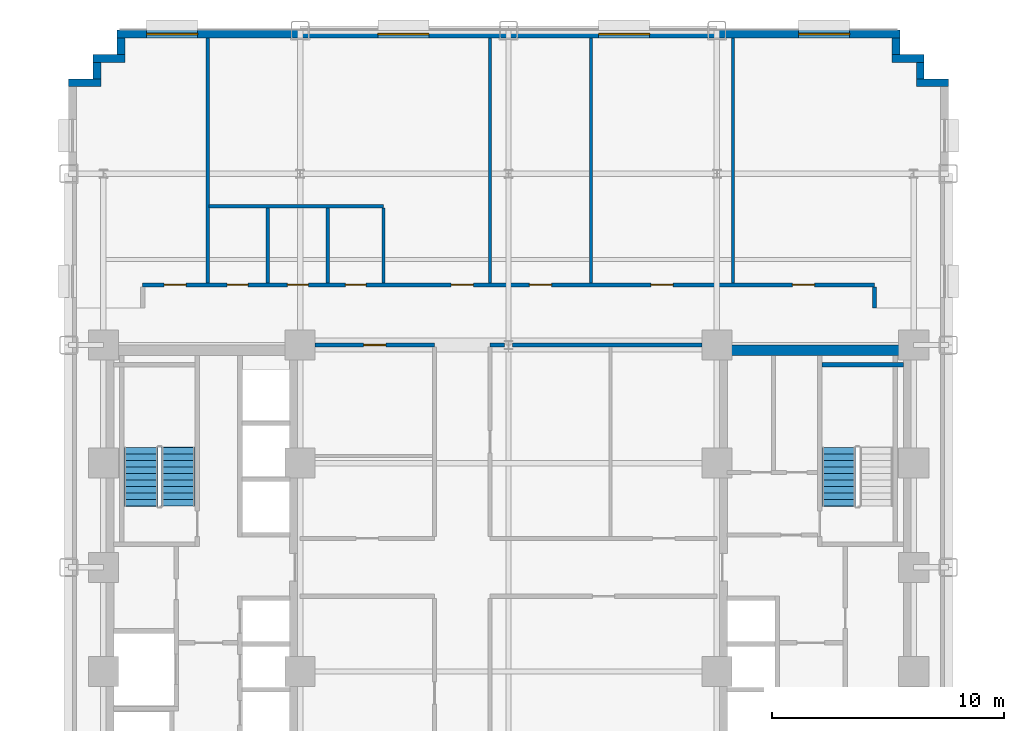
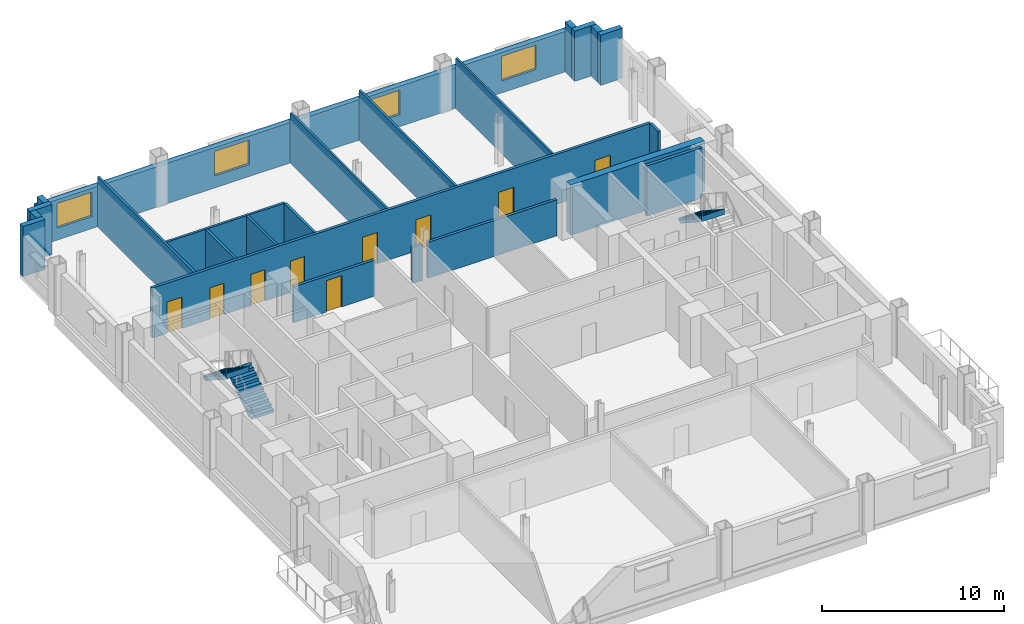
# One storey, part 7 of 12: 24 walls, 9 doors, 4 windows, 3 stair flights, 13 openings, 2 elements without a shape of their own.
"""IFC4 building model written with IfcOpenShell, lengths in metres."""

from ifc_helpers import new_model, si_unit, direction, frame, frame_2d, origin, place, context, subcontext, project, spatial, polyline, rectangle, outline, extrude, source, transform, mapped, material, layer, layer_set, type_object, type_shapes, element, fill, aggregate, save


model = new_model("IFC4")

# Units and contexts
model_context = context("Model", 3, precision=1e-05, world=origin(), true_north=direction((0.0, 1.0)))
body_context = subcontext(model_context, "Body", "Model", "MODEL_VIEW")
ifc_project = project(units=[si_unit("LENGTHUNIT", "METRE"), si_unit("AREAUNIT", "SQUARE_METRE"), si_unit("VOLUMEUNIT", "CUBIC_METRE"), si_unit("PLANEANGLEUNIT", "RADIAN"), si_unit("MASSUNIT", "GRAM", prefix="KILO")], contexts=[model_context])

# Site, building, storey
site_placement = place(None, origin())
site = spatial("IfcSite", under=ifc_project, at=site_placement, CompositionType="ELEMENT")
building_placement = place(site_placement, origin())
building = spatial("IfcBuilding", under=site, at=building_placement, Name="Nuvemarco Arch Tower", CompositionType="ELEMENT")
storey_placement = place(building_placement, frame((0.0, 0.0, 42.199951171875)))
storey = spatial("IfcBuildingStorey", under=building, at=storey_placement, Name="L10", CompositionType="ELEMENT", Elevation=42.199951171875)

# Walls
ifc_material_1 = material(Name="Precast concrete C45/55", Category="concrete")
ifc_layer_1 = layer(ifc_material_1, 0.340087890625, Name="EW-LOW-340")
ifc_layer_set_1 = layer_set([ifc_layer_1], Name="Precast concrete C45/55")
wall_type_1 = type_object("IfcWallType", Name="EW-LOW-340", PredefinedType="STANDARD", material=ifc_layer_set_1)
wall_1_placement = place(storey_placement, frame((17.610107421875, 20.929931640625, 0.0), z_axis=(0.0, 0.0, 1.0), x_axis=(1.0, 0.0, 0.0)))
element("IfcWall", 1, at=wall_1_placement, inside=storey, type_object=wall_type_1, Name="L10 exterior precast facade wall 7", PredefinedType="STANDARD", context=body_context, shape_type="SweptSolid", body=[
    extrude(rectangle(XDim=1.389892578125, YDim=0.340087890625, at=frame_2d((0.69482421875, 0.0))), origin(), (0.0, 0.0, 1.0), 3.360107421875),
])
wall_2_placement = place(storey_placement, frame((17.780029296875, 21.095947265625, 0.0), z_axis=(0.0, 0.0, 1.0), x_axis=(0.0, 1.0, 0.0)))
element("IfcWall", 2, at=wall_2_placement, inside=storey, type_object=wall_type_1, Name="L10 exterior precast facade wall 8", PredefinedType="STANDARD", context=body_context, shape_type="SweptSolid", body=[
    extrude(rectangle(XDim=0.718017578125, YDim=0.340087890625, at=frame_2d((0.35888671875, 0.0))), origin(), (0.0, 0.0, 1.0), 3.360107421875),
])
wall_3_placement = place(storey_placement, frame((16.56005859375, 21.97998046875, 0.0), z_axis=(0.0, 0.0, 1.0), x_axis=(1.0, 0.0, 0.0)))
element("IfcWall", 3, at=wall_3_placement, inside=storey, type_object=wall_type_1, Name="L10 exterior precast facade wall 9", PredefinedType="STANDARD", context=body_context, shape_type="SweptSolid", body=[
    extrude(rectangle(XDim=1.389892578125, YDim=0.340087890625, at=frame_2d((0.69482421875, 0.0))), origin(), (0.0, 0.0, 1.0), 3.360107421875),
])
wall_4_placement = place(storey_placement, frame((16.72998046875, 22.14599609375, 0.0), z_axis=(0.0, 0.0, 1.0), x_axis=(0.0, 1.0, 0.0)))
element("IfcWall", 4, at=wall_4_placement, inside=storey, type_object=wall_type_1, Name="L10 exterior precast facade wall 10", PredefinedType="STANDARD", context=body_context, shape_type="SweptSolid", body=[
    extrude(rectangle(XDim=0.718017578125, YDim=0.340087890625, at=frame_2d((0.35888671875, 0.0))), origin(), (0.0, 0.0, 1.0), 3.360107421875),
])

# Wall, openings, windows
wall_5_placement = place(storey_placement, frame((-16.89990234375, 23.030029296875, 0.0), z_axis=(0.0, 0.0, 1.0), x_axis=(1.0, 0.0, 0.0)))
wall_5 = element("IfcWall", 5, at=wall_5_placement, inside=storey, type_object=wall_type_1, Name="L10 exterior precast facade wall 11", PredefinedType="STANDARD", context=body_context, shape_type="SweptSolid", body=[
    extrude(rectangle(XDim=33.7998046875, YDim=0.340087890625, at=frame_2d((16.89990234375, 0.0))), origin(), (0.0, 0.0, 1.0), 2.705078125),
])
opening_1_placement = place(wall_5_placement, frame((1.271484375, 0.0, 0.800048828125)))
opening_1 = element("IfcOpeningElement", 6, at=opening_1_placement, cuts=wall_5, Name="Opening WN-3", PredefinedType="OPENING", context=body_context, shape_type="SweptSolid", body=[
    extrude(rectangle(XDim=2.199951171875, YDim=1.64990234375, at=frame_2d((1.10009765625, 0.824951171875))), frame((0.0, 0.179931640625, 0.0), z_axis=(0.0, -1.0, 0.0), x_axis=(1.0, 0.0, 0.0)), (0.0, 0.0, 1.0), 0.360107421875),
])
opening_2_placement = place(wall_5_placement, frame((11.257080078125, 0.0, 0.800048828125)))
opening_2 = element("IfcOpeningElement", 7, at=opening_2_placement, cuts=wall_5, Name="Opening WN-3", PredefinedType="OPENING", context=body_context, shape_type="SweptSolid", body=[
    extrude(rectangle(XDim=2.199951171875, YDim=1.64990234375, at=frame_2d((1.10009765625, 0.824951171875))), frame((0.0, 0.179931640625, 0.0), z_axis=(0.0, -1.0, 0.0), x_axis=(1.0, 0.0, 0.0)), (0.0, 0.0, 1.0), 0.360107421875),
])
opening_3_placement = place(wall_5_placement, frame((20.79296875, 0.0, 0.800048828125)))
opening_3 = element("IfcOpeningElement", 8, at=opening_3_placement, cuts=wall_5, Name="Opening WN-3", PredefinedType="OPENING", context=body_context, shape_type="SweptSolid", body=[
    extrude(rectangle(XDim=2.199951171875, YDim=1.64990234375, at=frame_2d((1.10009765625, 0.824951171875))), frame((0.0, 0.179931640625, 0.0), z_axis=(0.0, -1.0, 0.0), x_axis=(1.0, 0.0, 0.0)), (0.0, 0.0, 1.0), 0.360107421875),
])
opening_4_placement = place(wall_5_placement, frame((29.4287109375, 0.0, 0.800048828125)))
opening_4 = element("IfcOpeningElement", 9, at=opening_4_placement, cuts=wall_5, Name="Opening WN-3", PredefinedType="OPENING", context=body_context, shape_type="SweptSolid", body=[
    extrude(rectangle(XDim=2.199951171875, YDim=1.64990234375, at=frame_2d((1.10009765625, 0.824951171875))), frame((0.0, 0.179931640625, 0.0), z_axis=(0.0, -1.0, 0.0), x_axis=(1.0, 0.0, 0.0)), (0.0, 0.0, 1.0), 0.360107421875),
])
ifc_material_2 = material(Name="Insulated solar-control glass", Category="glass")
window_type = type_object("IfcWindowType", Name="WN-LOW-2200x1650", PartitioningType="DOUBLE_PANEL_VERTICAL", PredefinedType="WINDOW", material=ifc_material_2)
shared_shape_1 = source(origin(), body_context, "Body", "SweptSolid", [
    extrude(rectangle(XDim=2.199951171875, YDim=1.64990234375, at=frame_2d((1.10009765625, 0.824951171875))), frame((0.0, 0.030029296875, 0.0), z_axis=(0.0, -1.0, 0.0), x_axis=(1.0, 0.0, 0.0)), (0.0, 0.0, 1.0), 0.06005859375),
])
type_shapes(window_type, [shared_shape_1])
window_1_placement = place(opening_1_placement, origin())
window_1 = element("IfcWindow", 10, at=window_1_placement, inside=storey, type_object=window_type, Name="L10 punched facade window 1", OverallHeight=1.64990234375, OverallWidth=2.199951171875, PartitioningType="SINGLE_PANEL", PredefinedType="WINDOW", context=body_context, shape_type="MappedRepresentation", body=[
    mapped(shared_shape_1, transform((0.0, 0.0, 0.0), scale=1.0)),
])
fill(opening_1, window_1)
window_2_placement = place(opening_2_placement, origin())
window_2 = element("IfcWindow", 11, at=window_2_placement, inside=storey, type_object=window_type, Name="L10 punched facade window 3", OverallHeight=1.64990234375, OverallWidth=2.199951171875, PartitioningType="SINGLE_PANEL", PredefinedType="WINDOW", context=body_context, shape_type="MappedRepresentation", body=[
    mapped(shared_shape_1, transform((0.0, 0.0, 0.0), scale=1.0)),
])
fill(opening_2, window_2)
window_3_placement = place(opening_3_placement, origin())
window_3 = element("IfcWindow", 12, at=window_3_placement, inside=storey, type_object=window_type, Name="L10 punched facade window 5", OverallHeight=1.64990234375, OverallWidth=2.199951171875, PartitioningType="SINGLE_PANEL", PredefinedType="WINDOW", context=body_context, shape_type="MappedRepresentation", body=[
    mapped(shared_shape_1, transform((0.0, 0.0, 0.0), scale=1.0)),
])
fill(opening_3, window_3)
window_4_placement = place(opening_4_placement, origin())
window_4 = element("IfcWindow", 13, at=window_4_placement, inside=storey, type_object=window_type, Name="L10 punched facade window 7", OverallHeight=1.64990234375, OverallWidth=2.199951171875, PartitioningType="SINGLE_PANEL", PredefinedType="WINDOW", context=body_context, shape_type="MappedRepresentation", body=[
    mapped(shared_shape_1, transform((0.0, 0.0, 0.0), scale=1.0)),
])
fill(opening_4, window_4)

# Walls
wall_6_placement = place(storey_placement, frame((-16.72998046875, 22.14599609375, 0.0), z_axis=(0.0, 0.0, 1.0), x_axis=(0.0, 1.0, 0.0)))
element("IfcWall", 14, at=wall_6_placement, inside=storey, type_object=wall_type_1, Name="L10 exterior precast facade wall 12", PredefinedType="STANDARD", context=body_context, shape_type="SweptSolid", body=[
    extrude(rectangle(XDim=0.718017578125, YDim=0.340087890625, at=frame_2d((0.35888671875, 0.0))), origin(), (0.0, 0.0, 1.0), 3.360107421875),
])
wall_7_placement = place(storey_placement, frame((-17.949951171875, 21.97998046875, 0.0), z_axis=(0.0, 0.0, 1.0), x_axis=(1.0, 0.0, 0.0)))
element("IfcWall", 15, at=wall_7_placement, inside=storey, type_object=wall_type_1, Name="L10 exterior precast facade wall 13", PredefinedType="STANDARD", context=body_context, shape_type="SweptSolid", body=[
    extrude(rectangle(XDim=1.389892578125, YDim=0.340087890625, at=frame_2d((0.69482421875, 0.0))), origin(), (0.0, 0.0, 1.0), 3.360107421875),
])
wall_8_placement = place(storey_placement, frame((-17.780029296875, 21.095947265625, 0.0), z_axis=(0.0, 0.0, 1.0), x_axis=(0.0, 1.0, 0.0)))
element("IfcWall", 16, at=wall_8_placement, inside=storey, type_object=wall_type_1, Name="L10 exterior precast facade wall 14", PredefinedType="STANDARD", context=body_context, shape_type="SweptSolid", body=[
    extrude(rectangle(XDim=0.718017578125, YDim=0.340087890625, at=frame_2d((0.35888671875, 0.0))), origin(), (0.0, 0.0, 1.0), 3.360107421875),
])
wall_9_placement = place(storey_placement, frame((-19.0, 20.929931640625, 0.0), z_axis=(0.0, 0.0, 1.0), x_axis=(1.0, 0.0, 0.0)))
element("IfcWall", 17, at=wall_9_placement, inside=storey, type_object=wall_type_1, Name="L10 exterior precast facade wall 15", PredefinedType="STANDARD", context=body_context, shape_type="SweptSolid", body=[
    extrude(rectangle(XDim=1.389892578125, YDim=0.340087890625, at=frame_2d((0.69482421875, 0.0))), origin(), (0.0, 0.0, 1.0), 3.360107421875),
])
ifc_material_3 = material(Name="Concrete C60/75", Category="concrete")
ifc_layer_2 = layer(ifc_material_3, 0.449951171875, Name="WL-CORE-450")
ifc_layer_set_2 = layer_set([ifc_layer_2], Name="Concrete C60/75")
wall_type_2 = type_object("IfcWallType", Name="WL-CORE-450", PredefinedType="SHEAR", material=ifc_layer_set_2)
wall_10_placement = place(storey_placement, frame((9.0, 9.375, 0.0), z_axis=(0.0, 0.0, 1.0), x_axis=(1.0, 0.0, 0.0)))
element("IfcWall", 18, at=wall_10_placement, inside=storey, type_object=wall_type_2, Name="L10 E-core shear wall N", PredefinedType="SHEAR", context=body_context, shape_type="SweptSolid", body=[
    extrude(rectangle(XDim=8.5, YDim=0.449951171875, at=frame_2d((4.25, 0.0))), origin(), (0.0, 0.0, 1.0), 3.3701171875),
])

# Wall, opening, door
ifc_material_4 = material(Name="Fire-rated gypsum drywall partition")
ifc_layer_3 = layer(ifc_material_4, 0.179931640625, Name="WL-CORR-180")
ifc_layer_set_3 = layer_set([ifc_layer_3], Name="Fire-rated gypsum drywall partition")
wall_type_3 = type_object("IfcWallType", Name="WL-CORR-180", PredefinedType="PARTITIONING", material=ifc_layer_set_3)
wall_11_placement = place(storey_placement, frame((-8.35400390625, 9.60009765625, 0.0), z_axis=(0.0, 0.0, 1.0), x_axis=(1.0, 0.0, 0.0)))
wall_11 = element("IfcWall", 19, at=wall_11_placement, inside=storey, type_object=wall_type_3, Name="L10 interior wall IW-L10-010", PredefinedType="PARTITIONING", context=body_context, shape_type="SweptSolid", body=[
    extrude(rectangle(XDim=5.154052734375, YDim=0.179931640625, at=frame_2d((2.5771484375, 0.0))), origin(), (0.0, 0.0, 1.0), 2.405029296875),
])
opening_5_placement = place(wall_11_placement, frame((2.096923828125, 0.0, 0.0)))
opening_5 = element("IfcOpeningElement", 20, at=opening_5_placement, cuts=wall_11, Name="Opening FD-5", PredefinedType="OPENING", context=body_context, shape_type="SweptSolid", body=[
    extrude(rectangle(XDim=0.9599609375, YDim=2.10009765625, at=frame_2d((0.47998046875, 1.050048828125))), frame((0.0, 0.099853515625, 0.0), z_axis=(0.0, -1.0, 0.0), x_axis=(1.0, 0.0, 0.0)), (0.0, 0.0, 1.0), 0.199951171875),
])
ifc_material_5 = material(Name="Timber fire door", Category="wood")
door_type_1 = type_object("IfcDoorType", Name="DR-CORR-FD", OperationType="NOTDEFINED", PredefinedType="DOOR", material=ifc_material_5)
shared_shape_2 = source(origin(), body_context, "Body", "SweptSolid", [
    extrude(rectangle(XDim=0.9599609375, YDim=2.10009765625, at=frame_2d((0.47998046875, 1.050048828125))), frame((0.0, 0.02490234375, 0.0), z_axis=(0.0, -1.0, 0.0), x_axis=(1.0, 0.0, 0.0)), (0.0, 0.0, 1.0), 0.050048828125),
])
type_shapes(door_type_1, [shared_shape_2])
door_1_placement = place(opening_5_placement, origin())
door_1 = element("IfcDoor", 21, at=door_1_placement, inside=storey, type_object=door_type_1, Name="L10 door DR-L10-C_NW2", OperationType="SINGLE_SWING_LEFT", OverallHeight=2.10009765625, OverallWidth=0.9599609375, PredefinedType="DOOR", context=body_context, shape_type="MappedRepresentation", body=[
    mapped(shared_shape_2, transform((0.0, 0.0, 0.0), scale=1.0)),
])
fill(opening_5, door_1)

# Walls
wall_12_placement = place(storey_placement, frame((-0.800048828125, 9.60009765625, 0.0), z_axis=(0.0, 0.0, 1.0), x_axis=(1.0, 0.0, 0.0)))
element("IfcWall", 22, at=wall_12_placement, inside=storey, type_object=wall_type_3, Name="L10 interior wall IW-L10-011", PredefinedType="PARTITIONING", context=body_context, shape_type="SweptSolid", body=[
    extrude(rectangle(XDim=0.6240234375, YDim=0.179931640625, at=frame_2d((0.31201171875, 0.0))), origin(), (0.0, 0.0, 1.0), 2.405029296875),
])
wall_13_placement = place(storey_placement, frame((0.176025390625, 9.60009765625, 0.0), z_axis=(0.0, 0.0, 1.0), x_axis=(1.0, 0.0, 0.0)))
element("IfcWall", 23, at=wall_13_placement, inside=storey, type_object=wall_type_3, Name="L10 interior wall IW-L10-012", PredefinedType="PARTITIONING", context=body_context, shape_type="SweptSolid", body=[
    extrude(rectangle(XDim=8.177978515625, YDim=0.179931640625, at=frame_2d((4.0888671875, 0.0))), origin(), (0.0, 0.0, 1.0), 2.405029296875),
])

# Wall, openings, doors
wall_14_placement = place(storey_placement, frame((-15.800048828125, 12.199951171875, 0.0), z_axis=(0.0, 0.0, 1.0), x_axis=(1.0, 0.0, 0.0)))
wall_14 = element("IfcWall", 24, at=wall_14_placement, inside=storey, type_object=wall_type_3, Name="L10 interior wall IW-L10-013", PredefinedType="PARTITIONING", context=body_context, shape_type="SweptSolid", body=[
    extrude(rectangle(XDim=31.60009765625, YDim=0.179931640625, at=frame_2d((15.800048828125, 0.0))), origin(), (0.0, 0.0, 1.0), 3.360107421875),
])
opening_6_placement = place(wall_14_placement, frame((21.945068359375, 0.0, 0.0)))
opening_6 = element("IfcOpeningElement", 25, at=opening_6_placement, cuts=wall_14, Name="Opening FD-5", PredefinedType="OPENING", context=body_context, shape_type="SweptSolid", body=[
    extrude(rectangle(XDim=0.9599609375, YDim=2.10009765625, at=frame_2d((0.47998046875, 1.050048828125))), frame((0.0, 0.099853515625, 0.0), z_axis=(0.0, -1.0, 0.0), x_axis=(1.0, 0.0, 0.0)), (0.0, 0.0, 1.0), 0.199951171875),
])
opening_7_placement = place(wall_14_placement, frame((28.06494140625, 0.0, 0.0)))
opening_7 = element("IfcOpeningElement", 26, at=opening_7_placement, cuts=wall_14, Name="Opening FD-5", PredefinedType="OPENING", context=body_context, shape_type="SweptSolid", body=[
    extrude(rectangle(XDim=0.9599609375, YDim=2.10009765625, at=frame_2d((0.47998046875, 1.050048828125))), frame((0.0, 0.099853515625, 0.0), z_axis=(0.0, -1.0, 0.0), x_axis=(1.0, 0.0, 0.0)), (0.0, 0.0, 1.0), 0.199951171875),
])
opening_8_placement = place(wall_14_placement, frame((16.699951171875, 0.0, 0.0)))
opening_8 = element("IfcOpeningElement", 27, at=opening_8_placement, cuts=wall_14, Name="Opening FD-5", PredefinedType="OPENING", context=body_context, shape_type="SweptSolid", body=[
    extrude(rectangle(XDim=0.9599609375, YDim=2.10009765625, at=frame_2d((0.47998046875, 1.050048828125))), frame((0.0, 0.099853515625, 0.0), z_axis=(0.0, -1.0, 0.0), x_axis=(1.0, 0.0, 0.0)), (0.0, 0.0, 1.0), 0.199951171875),
])
opening_9_placement = place(wall_14_placement, frame((0.919921875, 0.0, 0.0)))
opening_9 = element("IfcOpeningElement", 28, at=opening_9_placement, cuts=wall_14, Name="Opening FD-5", PredefinedType="OPENING", context=body_context, shape_type="SweptSolid", body=[
    extrude(rectangle(XDim=0.9599609375, YDim=2.10009765625, at=frame_2d((0.47998046875, 1.050048828125))), frame((0.0, 0.099853515625, 0.0), z_axis=(0.0, -1.0, 0.0), x_axis=(1.0, 0.0, 0.0)), (0.0, 0.0, 1.0), 0.199951171875),
])
opening_10_placement = place(wall_14_placement, frame((6.25, 0.0, 0.0)))
opening_10 = element("IfcOpeningElement", 29, at=opening_10_placement, cuts=wall_14, Name="Opening ID-3", PredefinedType="OPENING", context=body_context, shape_type="SweptSolid", body=[
    extrude(rectangle(XDim=0.89990234375, YDim=2.10009765625, at=frame_2d((0.449951171875, 1.050048828125))), frame((0.0, 0.099853515625, 0.0), z_axis=(0.0, -1.0, 0.0), x_axis=(1.0, 0.0, 0.0)), (0.0, 0.0, 1.0), 0.199951171875),
])
opening_11_placement = place(wall_14_placement, frame((3.64990234375, 0.0, 0.0)))
opening_11 = element("IfcOpeningElement", 30, at=opening_11_placement, cuts=wall_14, Name="Opening ID-3", PredefinedType="OPENING", context=body_context, shape_type="SweptSolid", body=[
    extrude(rectangle(XDim=0.89990234375, YDim=2.10009765625, at=frame_2d((0.449951171875, 1.050048828125))), frame((0.0, 0.099853515625, 0.0), z_axis=(0.0, -1.0, 0.0), x_axis=(1.0, 0.0, 0.0)), (0.0, 0.0, 1.0), 0.199951171875),
])
opening_12_placement = place(wall_14_placement, frame((13.320068359375, 0.0, 0.0)))
opening_12 = element("IfcOpeningElement", 31, at=opening_12_placement, cuts=wall_14, Name="Opening FD-5", PredefinedType="OPENING", context=body_context, shape_type="SweptSolid", body=[
    extrude(rectangle(XDim=0.9599609375, YDim=2.10009765625, at=frame_2d((0.47998046875, 1.050048828125))), frame((0.0, 0.099853515625, 0.0), z_axis=(0.0, -1.0, 0.0), x_axis=(1.0, 0.0, 0.0)), (0.0, 0.0, 1.0), 0.199951171875),
])
opening_13_placement = place(wall_14_placement, frame((8.75, 0.0, 0.0)))
opening_13 = element("IfcOpeningElement", 32, at=opening_13_placement, cuts=wall_14, Name="Opening ID-3", PredefinedType="OPENING", context=body_context, shape_type="SweptSolid", body=[
    extrude(rectangle(XDim=0.89990234375, YDim=2.10009765625, at=frame_2d((0.449951171875, 1.050048828125))), frame((0.0, 0.099853515625, 0.0), z_axis=(0.0, -1.0, 0.0), x_axis=(1.0, 0.0, 0.0)), (0.0, 0.0, 1.0), 0.199951171875),
])
door_2_placement = place(opening_6_placement, origin())
door_2 = element("IfcDoor", 33, at=door_2_placement, inside=storey, type_object=door_type_1, Name="L10 door DR-L10-N_4", OperationType="SINGLE_SWING_LEFT", OverallHeight=2.10009765625, OverallWidth=0.9599609375, PredefinedType="DOOR", context=body_context, shape_type="MappedRepresentation", body=[
    mapped(shared_shape_2, transform((0.0, 0.0, 0.0), scale=1.0)),
])
fill(opening_6, door_2)
door_3_placement = place(opening_7_placement, origin())
door_3 = element("IfcDoor", 34, at=door_3_placement, inside=storey, type_object=door_type_1, Name="L10 door DR-L10-N_5", OperationType="SINGLE_SWING_RIGHT", OverallHeight=2.10009765625, OverallWidth=0.9599609375, PredefinedType="DOOR", context=body_context, shape_type="MappedRepresentation", body=[
    mapped(shared_shape_2, transform((0.0, 0.0, 0.0), scale=1.0)),
])
fill(opening_7, door_3)
door_4_placement = place(opening_8_placement, origin())
door_4 = element("IfcDoor", 35, at=door_4_placement, inside=storey, type_object=door_type_1, Name="L10 door DR-L10-N_3", OperationType="SINGLE_SWING_LEFT", OverallHeight=2.10009765625, OverallWidth=0.9599609375, PredefinedType="DOOR", context=body_context, shape_type="MappedRepresentation", body=[
    mapped(shared_shape_2, transform((0.0, 0.0, 0.0), scale=1.0)),
])
fill(opening_8, door_4)
door_5_placement = place(opening_9_placement, origin())
door_5 = element("IfcDoor", 36, at=door_5_placement, inside=storey, type_object=door_type_1, Name="L10 door DR-L10-N_1", OperationType="SINGLE_SWING_RIGHT", OverallHeight=2.10009765625, OverallWidth=0.9599609375, PredefinedType="DOOR", context=body_context, shape_type="MappedRepresentation", body=[
    mapped(shared_shape_2, transform((0.0, 0.0, 0.0), scale=1.0)),
])
fill(opening_9, door_5)
door_6_placement = place(opening_12_placement, origin())
door_6 = element("IfcDoor", 37, at=door_6_placement, inside=storey, type_object=door_type_1, Name="L10 door DR-L10-N_2", OperationType="SINGLE_SWING_LEFT", OverallHeight=2.10009765625, OverallWidth=0.9599609375, PredefinedType="DOOR", context=body_context, shape_type="MappedRepresentation", body=[
    mapped(shared_shape_2, transform((0.0, 0.0, 0.0), scale=1.0)),
])
fill(opening_12, door_6)
ifc_material_6 = material(Name="Veneered oak timber fire door", Category="wood")
door_type_2 = type_object("IfcDoorType", Name="DR-WC-ACC", OperationType="NOTDEFINED", PredefinedType="DOOR", material=ifc_material_6)
shared_shape_3 = source(origin(), body_context, "Body", "SweptSolid", [
    extrude(rectangle(XDim=0.89990234375, YDim=2.10009765625, at=frame_2d((0.449951171875, 1.050048828125))), frame((0.0, 0.02490234375, 0.0), z_axis=(0.0, -1.0, 0.0), x_axis=(1.0, 0.0, 0.0)), (0.0, 0.0, 1.0), 0.050048828125),
])
type_shapes(door_type_2, [shared_shape_3])
door_7_placement = place(opening_10_placement, origin())
door_7 = element("IfcDoor", 38, at=door_7_placement, inside=storey, type_object=door_type_2, Name="L10 door DR-L10-WC_F", OperationType="SINGLE_SWING_LEFT", OverallHeight=2.10009765625, OverallWidth=0.89990234375, PredefinedType="DOOR", context=body_context, shape_type="MappedRepresentation", body=[
    mapped(shared_shape_3, transform((0.0, 0.0, 0.0), scale=1.0)),
])
fill(opening_10, door_7)
door_8_placement = place(opening_11_placement, origin())
door_8 = element("IfcDoor", 39, at=door_8_placement, inside=storey, type_object=door_type_2, Name="L10 door DR-L10-WC_M", OperationType="SINGLE_SWING_RIGHT", OverallHeight=2.10009765625, OverallWidth=0.89990234375, PredefinedType="DOOR", context=body_context, shape_type="MappedRepresentation", body=[
    mapped(shared_shape_3, transform((0.0, 0.0, 0.0), scale=1.0)),
])
fill(opening_11, door_8)
door_9_placement = place(opening_13_placement, origin())
door_9 = element("IfcDoor", 40, at=door_9_placement, inside=storey, type_object=door_type_2, Name="L10 door DR-L10-WC_ACC", OperationType="SINGLE_SWING_RIGHT", OverallHeight=2.10009765625, OverallWidth=0.89990234375, PredefinedType="DOOR", context=body_context, shape_type="MappedRepresentation", body=[
    mapped(shared_shape_3, transform((0.0, 0.0, 0.0), scale=1.0)),
])
fill(opening_13, door_9)

# Walls
wall_15_placement = place(storey_placement, frame((15.800048828125, 11.199951171875, 0.0), z_axis=(0.0, 0.0, 1.0), x_axis=(0.0, 1.0, 0.0)))
element("IfcWall", 41, at=wall_15_placement, inside=storey, type_object=wall_type_3, Name="L10 interior wall IW-L10-034", PredefinedType="PARTITIONING", context=body_context, shape_type="SweptSolid", body=[
    extrude(rectangle(XDim=0.9140625, YDim=0.179931640625, at=frame_2d((0.45703125, 0.0))), origin(), (0.0, 0.0, 1.0), 3.360107421875),
])
ifc_material_7 = material(Name="Glazed acoustic office partition")
ifc_layer_4 = layer(ifc_material_7, 0.1298828125, Name="WL-EXEC-130")
ifc_layer_set_4 = layer_set([ifc_layer_4], Name="Glazed acoustic office partition")
wall_type_4 = type_object("IfcWallType", Name="WL-EXEC-130", PredefinedType="PARTITIONING", material=ifc_layer_set_4)
for number, where, z_axis, x_axis, name in (
    (42, (-0.800048828125, 12.285888671875, 0.0), (0.0, 0.0, 1.0), (0.0, 1.0, 0.0), "L10 interior wall IW-L10-027"),
    (43, (9.68994140625, 12.285888671875, 0.0), (0.0, 0.0, 1.0), (0.0, 1.0, 0.0), "L10 interior wall IW-L10-031"),
):
    element("IfcWall", number, at=place(storey_placement, frame(where, z_axis=z_axis, x_axis=x_axis)), inside=storey, type_object=wall_type_4, Name=name, PredefinedType="PARTITIONING", context=body_context, shape_type="SweptSolid", body=[
        extrude(rectangle(XDim=10.57421875, YDim=0.1298828125, at=frame_2d((5.287109375, 0.0))), origin(), (0.0, 0.0, 1.0), 3.360107421875),
    ])
ifc_material_8 = material(Name="Gypsum plasterboard partition")
ifc_layer_5 = layer(ifc_material_8, 0.139892578125, Name="WL-ROOM-140")
ifc_layer_set_5 = layer_set([ifc_layer_5], Name="Gypsum plasterboard partition")
wall_type_5 = type_object("IfcWallType", Name="WL-ROOM-140", PredefinedType="PARTITIONING", material=ifc_layer_set_5)
wall_16_placement = place(storey_placement, frame((3.56005859375, 12.285888671875, 0.0), z_axis=(0.0, 0.0, 1.0), x_axis=(0.0, 1.0, 0.0)))
element("IfcWall", 44, at=wall_16_placement, inside=storey, type_object=wall_type_5, Name="L10 interior wall IW-L10-028", PredefinedType="PARTITIONING", context=body_context, shape_type="SweptSolid", body=[
    extrude(rectangle(XDim=10.57421875, YDim=0.139892578125, at=frame_2d((5.287109375, 0.0))), origin(), (0.0, 0.0, 1.0), 3.360107421875),
])
ifc_material_9 = material(Name="Concrete C50/60", Category="concrete")
ifc_layer_6 = layer(ifc_material_9, 0.199951171875, Name="WL-SHAFT-220")
ifc_layer_set_6 = layer_set([ifc_layer_6], Name="Concrete C50/60")
wall_type_6 = type_object("IfcWallType", Name="WL-SHAFT-220", PredefinedType="SHEAR", material=ifc_layer_set_6)
wall_17_placement = place(storey_placement, frame((13.534912109375, 8.75, 0.0), z_axis=(0.0, 0.0, 1.0), x_axis=(1.0, 0.0, 0.0)))
element("IfcWall", 45, at=wall_17_placement, inside=storey, type_object=wall_type_6, Name="L10 structural shaft wall SW-L10-E-ST2N", PredefinedType="SHEAR", context=body_context, shape_type="SweptSolid", body=[
    extrude(rectangle(XDim=3.52001953125, YDim=0.199951171875, at=frame_2d((1.760009765625, 0.0))), origin(), (0.0, 0.0, 1.0), 3.3701171875),
])
ifc_material_10 = material(Name="Moisture-resistant gypsum partition")
ifc_layer_7 = layer(ifc_material_10, 0.14990234375, Name="WL-WET-150")
ifc_layer_set_7 = layer_set([ifc_layer_7], Name="Moisture-resistant gypsum partition")
wall_type_7 = type_object("IfcWallType", Name="WL-WET-150", PredefinedType="PARTITIONING", material=ifc_layer_set_7)
wall_18_placement = place(storey_placement, frame((-12.928955078125, 15.60009765625, 0.0), z_axis=(0.0, 0.0, 1.0), x_axis=(1.0, 0.0, 0.0)))
element("IfcWall", 46, at=wall_18_placement, inside=storey, type_object=wall_type_7, Name="L10 interior wall IW-L10-014", PredefinedType="PARTITIONING", context=body_context, shape_type="SweptSolid", body=[
    extrude(rectangle(XDim=7.529052734375, YDim=0.14990234375, at=frame_2d((3.7646484375, 0.0))), origin(), (0.0, 0.0, 1.0), 3.360107421875),
])
wall_19_placement = place(storey_placement, frame((-13.0, 12.285888671875, 0.0), z_axis=(0.0, 0.0, 1.0), x_axis=(0.0, 1.0, 0.0)))
element("IfcWall", 47, at=wall_19_placement, inside=storey, type_object=wall_type_7, Name="L10 interior wall IW-L10-017", PredefinedType="PARTITIONING", context=body_context, shape_type="SweptSolid", body=[
    extrude(rectangle(XDim=10.57421875, YDim=0.14990234375, at=frame_2d((5.287109375, 0.0))), origin(), (0.0, 0.0, 1.0), 3.360107421875),
])
for number, where, z_axis, x_axis, name in (
    (48, (-10.39990234375, 12.285888671875, 0.0), (0.0, 0.0, 1.0), (0.0, 1.0, 0.0), "L10 interior wall IW-L10-019"),
    (49, (-7.800048828125, 12.285888671875, 0.0), (0.0, 0.0, 1.0), (0.0, 1.0, 0.0), "L10 interior wall IW-L10-020"),
    (50, (-5.39990234375, 12.285888671875, 0.0), (0.0, 0.0, 1.0), (0.0, 1.0, 0.0), "L10 interior wall IW-L10-021"),
):
    element("IfcWall", number, at=place(storey_placement, frame(where, z_axis=z_axis, x_axis=x_axis)), inside=storey, type_object=wall_type_7, Name=name, PredefinedType="PARTITIONING", context=body_context, shape_type="SweptSolid", body=[
        extrude(rectangle(XDim=3.2431640625, YDim=0.14990234375, at=frame_2d((1.62158203125, 0.0))), origin(), (0.0, 0.0, 1.0), 3.360107421875),
    ])

# Stair, stair flights
stair_type = type_object("IfcStairType", Name="ST-CORE-20R", PredefinedType="HALF_TURN_STAIR", material=ifc_material_1)
stair_1_placement = place(storey_placement, origin())
stair_1 = element("IfcStair", 51, at=stair_1_placement, inside=storey, type_object=stair_type, Name="L10 Protected Exit Stair ST-1", PredefinedType="HALF_TURN_STAIR")
stair_flight_type = type_object("IfcStairFlightType", Name="SF-CORE-20R", PredefinedType="STRAIGHT", material=ifc_material_1)
stair_flight_1_placement = place(storey_placement, frame((-14.264892578125, 2.64990234375, 0.0), z_axis=(0.0, 0.0, 1.0), x_axis=(0.0, 1.0, 0.0)))
stair_flight_1 = element("IfcStairFlight", 52, at=stair_flight_1_placement, type_object=stair_flight_type, Name="ST-20R flight 1", NumberOfRisers=10, NumberOfTreads=9, PredefinedType="STRAIGHT", RiserHeight=0.1825, TreadLength=0.28, context=body_context, shape_type="SweptSolid", body=[
    extrude(outline(polyline([(0.0, 0.0), (0.0, 0.1826171875), (0.280029296875, 0.1826171875), (0.280029296875, 0.364990234375), (0.56005859375, 0.364990234375), (0.56005859375, 0.547607421875), (0.840087890625, 0.547607421875), (0.840087890625, 0.72998046875), (1.1201171875, 0.72998046875), (1.1201171875, 0.91259765625), (1.39990234375, 0.91259765625), (1.39990234375, 1.094970703125), (1.679931640625, 1.094970703125), (1.679931640625, 1.277587890625), (1.9599609375, 1.277587890625), (1.9599609375, 1.4599609375), (2.239990234375, 1.4599609375), (2.239990234375, 1.642578125), (2.52001953125, 1.642578125), (2.52001953125, 1.824951171875), (2.5400390625, 1.824951171875), (2.5400390625, 1.45166015625), (0.312744140625, 0.0), (0.0, 0.0)])), frame((0.0, 0.72509765625, 0.0), z_axis=(0.0, -1.0, 0.0), x_axis=(1.0, 0.0, 0.0)), (0.0, 0.0, 1.0), 1.449951171875),
])
stair_flight_2_placement = place(storey_placement, frame((-15.875, 5.169921875, 1.824951171875), z_axis=(0.0, 0.0, 1.0), x_axis=(0.0, -1.0, 0.0)))
stair_flight_2 = element("IfcStairFlight", 53, at=stair_flight_2_placement, type_object=stair_flight_type, Name="ST-20R flight 2", NumberOfRisers=10, NumberOfTreads=9, PredefinedType="STRAIGHT", RiserHeight=0.1825, TreadLength=0.28, context=body_context, shape_type="SweptSolid", body=[
    extrude(outline(polyline([(0.0, 0.0), (0.0, 0.1826171875), (0.280029296875, 0.1826171875), (0.280029296875, 0.364990234375), (0.56005859375, 0.364990234375), (0.56005859375, 0.547607421875), (0.840087890625, 0.547607421875), (0.840087890625, 0.72998046875), (1.1201171875, 0.72998046875), (1.1201171875, 0.91259765625), (1.39990234375, 0.91259765625), (1.39990234375, 1.094970703125), (1.679931640625, 1.094970703125), (1.679931640625, 1.277587890625), (1.9599609375, 1.277587890625), (1.9599609375, 1.4599609375), (2.239990234375, 1.4599609375), (2.239990234375, 1.642578125), (2.52001953125, 1.642578125), (2.52001953125, 1.824951171875), (2.5400390625, 1.824951171875), (2.5400390625, 1.45166015625), (0.312744140625, 0.0), (0.0, 0.0)])), frame((0.0, 0.72509765625, 0.0), z_axis=(0.0, -1.0, 0.0), x_axis=(1.0, 0.0, 0.0)), (0.0, 0.0, 1.0), 1.449951171875),
])
aggregate(stair_1, [stair_flight_1, stair_flight_2])

# Stair, stair flight
stair_2_placement = place(storey_placement, origin())
stair_2 = element("IfcStair", 54, at=stair_2_placement, inside=storey, type_object=stair_type, Name="L10 Protected Exit Stair ST-2", PredefinedType="HALF_TURN_STAIR")
stair_flight_3_placement = place(storey_placement, frame((14.264892578125, 5.169921875, 1.824951171875), z_axis=(0.0, 0.0, 1.0), x_axis=(0.0, -1.0, 0.0)))
stair_flight_3 = element("IfcStairFlight", 55, at=stair_flight_3_placement, type_object=stair_flight_type, Name="ST-20R flight 2", NumberOfRisers=10, NumberOfTreads=9, PredefinedType="STRAIGHT", RiserHeight=0.1825, TreadLength=0.28, context=body_context, shape_type="SweptSolid", body=[
    extrude(outline(polyline([(0.0, 0.0), (0.0, 0.1826171875), (0.280029296875, 0.1826171875), (0.280029296875, 0.364990234375), (0.56005859375, 0.364990234375), (0.56005859375, 0.547607421875), (0.840087890625, 0.547607421875), (0.840087890625, 0.72998046875), (1.1201171875, 0.72998046875), (1.1201171875, 0.91259765625), (1.39990234375, 0.91259765625), (1.39990234375, 1.094970703125), (1.679931640625, 1.094970703125), (1.679931640625, 1.277587890625), (1.9599609375, 1.277587890625), (1.9599609375, 1.4599609375), (2.239990234375, 1.4599609375), (2.239990234375, 1.642578125), (2.52001953125, 1.642578125), (2.52001953125, 1.824951171875), (2.5400390625, 1.824951171875), (2.5400390625, 1.45166015625), (0.312744140625, 0.0), (0.0, 0.0)])), frame((0.0, 0.72509765625, 0.0), z_axis=(0.0, -1.0, 0.0), x_axis=(1.0, 0.0, 0.0)), (0.0, 0.0, 1.0), 1.449951171875),
])
aggregate(stair_2, [stair_flight_3])

save(model, "model.ifc")
